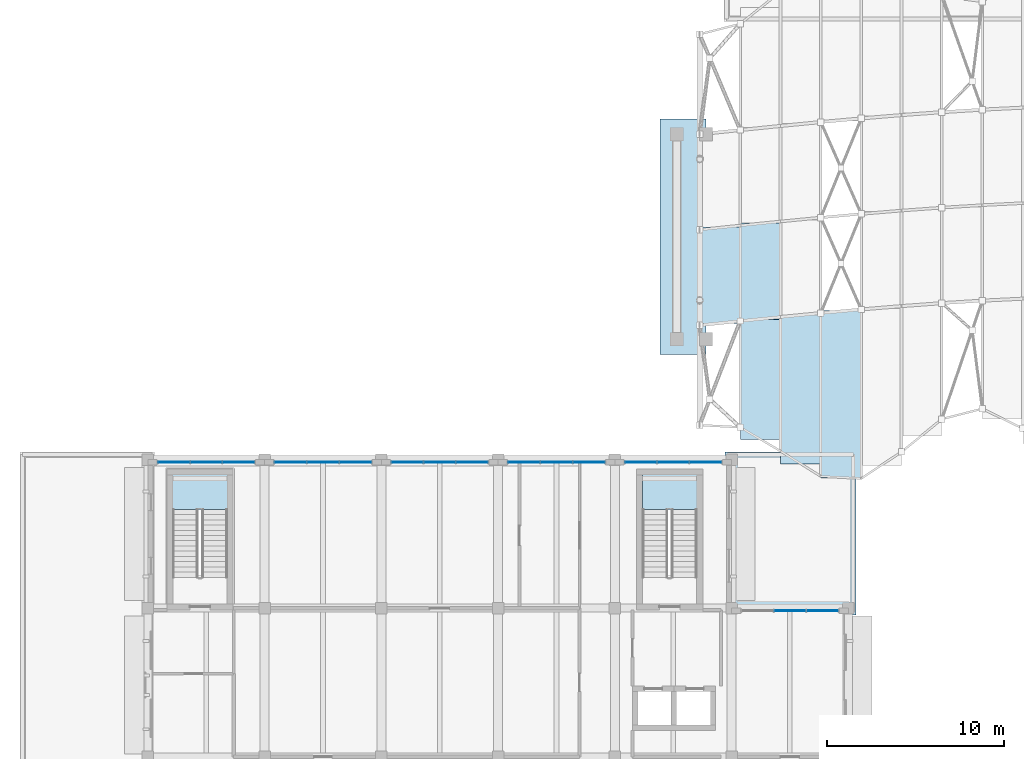
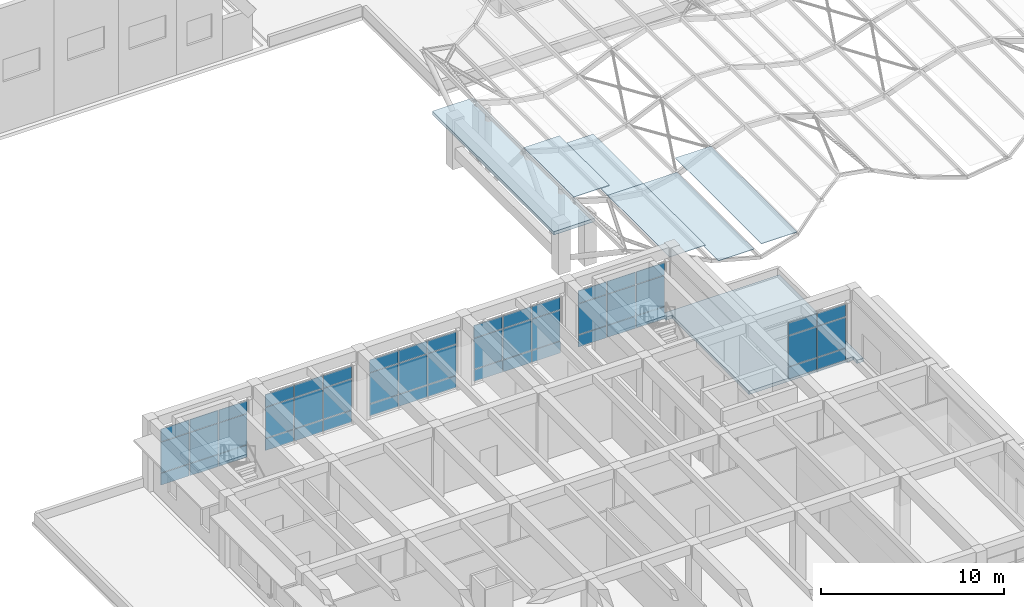
# One storey, part 34 of 79: 56 plates, 4 slabs, 8 elements without a shape of their own.
"""IFC4 building model written with IfcOpenShell, lengths in metres."""

from ifc_helpers import new_model, si_unit, direction, frame, origin, origin_2d, place, context, subcontext, project, spatial, polyline, rectangle, outline, extrude, material, layer, layer_set, type_object, element, aggregate, save


model = new_model("IFC4")

# Units and contexts
model_context = context("Model", 3, precision=1e-05, world=origin(), true_north=direction((0.0, 1.0)))
body_context = subcontext(model_context, "Body", "Model", "MODEL_VIEW")
ifc_project = project(units=[si_unit("LENGTHUNIT", "METRE"), si_unit("AREAUNIT", "SQUARE_METRE"), si_unit("VOLUMEUNIT", "CUBIC_METRE"), si_unit("PLANEANGLEUNIT", "RADIAN"), si_unit("MASSUNIT", "GRAM", prefix="KILO")], contexts=[model_context])

# Site, building, storey
site_placement = place(None, origin())
site = spatial("IfcSite", under=ifc_project, at=site_placement, CompositionType="ELEMENT")
building_placement = place(site_placement, origin())
building = spatial("IfcBuilding", under=site, at=building_placement, Name="Kolvaren Faculty of Natural Sciences", CompositionType="ELEMENT")
storey_placement = place(building_placement, frame((0.0, 0.0, 10.199951171875)))
storey = spatial("IfcBuildingStorey", under=building, at=storey_placement, Name="L02", CompositionType="ELEMENT", Elevation=10.199951171875)

# Plates
ifc_material_1 = material(Name="Double low-E solar control laminated skylight glass", Category="glass")
ifc_layer_1 = layer(ifc_material_1, 0.031982421875)
ifc_layer_set_1 = layer_set([ifc_layer_1], Name="Double low-E solar control laminated skylight glass")
plate_type_1 = type_object("IfcPlateType", Name="CanopyTranslucentSkylight_32", PredefinedType="USERDEFINED", material=ifc_layer_set_1)
plate_1_placement = place(storey_placement, frame((39.140869140625, 52.617431640625, 3.849609375), z_axis=(0.0, 0.0, 1.0), x_axis=(1.0, 0.0, 0.0)))
element("IfcPlate", 1, at=plate_1_placement, inside=storey, type_object=plate_type_1, Name="Covered street canopy translucent skylight panel 1.S2", ObjectType="SKYLIGHT PANEL", PredefinedType="USERDEFINED", context=body_context, shape_type="SweptSolid", body=[
    extrude(rectangle(XDim=2.251708984375, YDim=5.4599609375, at=origin_2d()), origin(), (0.0, 0.0, 1.0), 0.031982421875),
])
plate_2_placement = place(storey_placement, frame((41.422607421875, 46.754638671875, 3.0224609375), z_axis=(0.0, 0.0, 1.0), x_axis=(1.0, 0.0, 0.0)))
element("IfcPlate", 2, at=plate_2_placement, inside=storey, type_object=plate_type_1, Name="Covered street canopy translucent skylight panel 2.S1", ObjectType="SKYLIGHT PANEL", PredefinedType="USERDEFINED", context=body_context, shape_type="SweptSolid", body=[
    extrude(rectangle(XDim=2.251708984375, YDim=6.850341796875, at=origin_2d()), origin(), (0.0, 0.0, 1.0), 0.031982421875),
])
plate_3_placement = place(storey_placement, frame((41.422607421875, 52.849853515625, 3.0224609375), z_axis=(0.0, 0.0, 1.0), x_axis=(1.0, 0.0, 0.0)))
element("IfcPlate", 3, at=plate_3_placement, inside=storey, type_object=plate_type_1, Name="Covered street canopy translucent skylight panel 2.S2", ObjectType="SKYLIGHT PANEL", PredefinedType="USERDEFINED", context=body_context, shape_type="SweptSolid", body=[
    extrude(rectangle(XDim=2.251708984375, YDim=5.4599609375, at=origin_2d()), origin(), (0.0, 0.0, 1.0), 0.031982421875),
])
plate_4_placement = place(storey_placement, frame((43.70458984375, 46.173095703125, 2.80419921875), z_axis=(0.0, 0.0, 1.0), x_axis=(1.0, 0.0, 0.0)))
element("IfcPlate", 4, at=plate_4_placement, inside=storey, type_object=plate_type_1, Name="Covered street canopy translucent skylight panel 3.S1", ObjectType="SKYLIGHT PANEL", PredefinedType="USERDEFINED", context=body_context, shape_type="SweptSolid", body=[
    extrude(rectangle(XDim=2.251953125, YDim=8.46435546875, at=origin_2d()), origin(), (0.0, 0.0, 1.0), 0.031982421875),
])
plate_5_placement = place(storey_placement, frame((45.986328125, 45.892578125, 3.62255859375), z_axis=(0.0, 0.0, 1.0), x_axis=(1.0, 0.0, 0.0)))
element("IfcPlate", 5, at=plate_5_placement, inside=storey, type_object=plate_type_1, Name="Covered street canopy translucent skylight panel 4.S1", ObjectType="SKYLIGHT PANEL", PredefinedType="USERDEFINED", context=body_context, shape_type="SweptSolid", body=[
    extrude(rectangle(XDim=2.251708984375, YDim=9.4521484375, at=origin_2d()), origin(), (0.0, 0.0, 1.0), 0.031982421875),
])

# Slab
ifc_material_2 = material(Name="Precast concrete C35/45", Category="concrete")
ifc_layer_2 = layer(ifc_material_2, 0.139892578125)
ifc_layer_set_2 = layer_set([ifc_layer_2], Name="Precast concrete C35/45")
slab_type_1 = type_object("IfcSlabType", Name="ChhajjaSlopedEaveSlab_140", PredefinedType="ROOF", material=ifc_layer_set_2)
slab_1_placement = place(storey_placement, frame((0.0, 0.0, 3.179931640625)))
element("IfcSlab", 6, at=slab_1_placement, inside=storey, type_object=slab_type_1, Name="West Covered-Street Monumental Gateway Pishtaq projecting Mughal chhajja cornice slab", PredefinedType="ROOF", context=body_context, shape_type="SweptSolid", body=[
    extrude(outline(polyline([(35.75, 48.14990234375), (38.35009765625, 48.14990234375), (38.35009765625, 61.449951171875), (35.75, 61.449951171875), (35.75, 48.14990234375)])), origin(), (0.0, 0.0, 1.0), 0.22021484375),
])

# Curtain wall, plates
ifc_material_3 = material(Name="Thermally broken anodised aluminium framing", Category="aluminium")
ifc_layer_3 = layer(ifc_material_3, 0.179931640625)
ifc_layer_set_3 = layer_set([ifc_layer_3], Name="Thermally broken anodised aluminium framing")
curtain_wall_type = type_object("IfcCurtainWallType", Name="CommonsCurtainWall_CW02", PredefinedType="NOTDEFINED", material=ifc_layer_set_3)
curtain_wall_1_placement = place(storey_placement, origin())
curtain_wall_1 = element("IfcCurtainWall", 7, at=curtain_wall_1_placement, inside=storey, type_object=curtain_wall_type, Name="L02 unitised curtain wall CW-02 (CW-L02-071)", PredefinedType="NOTDEFINED")
ifc_material_4 = material(Name="Double low-E solar control insulated glazing", Category="glass")
ifc_layer_4 = layer(ifc_material_4, 0.035888671875)
ifc_layer_set_4 = layer_set([ifc_layer_4], Name="Double low-E solar control insulated glazing")
plate_type_2 = type_object("IfcPlateType", Name="EnvelopePlate_CWPGL1", PredefinedType="CURTAIN_PANEL", material=ifc_layer_set_4)
plate_6_placement = place(storey_placement, frame((8.2666015625, 42.050048828125, 0.920166015625), z_axis=(0.0, 0.0, 1.0), x_axis=(1.0, 0.0, 0.0)))
plate_6 = element("IfcPlate", 8, at=plate_6_placement, type_object=plate_type_2, Name="CW-L02-071 panel 1 V1", PredefinedType="CURTAIN_PANEL", context=body_context, shape_type="SweptSolid", body=[
    extrude(rectangle(XDim=1.783203125, YDim=0.035888671875, at=origin_2d()), origin(), (0.0, 0.0, 1.0), 2.044921875),
])
plate_7_placement = place(storey_placement, frame((10.10009765625, 42.050048828125, 0.920166015625), z_axis=(0.0, 0.0, 1.0), x_axis=(1.0, 0.0, 0.0)))
plate_7 = element("IfcPlate", 9, at=plate_7_placement, type_object=plate_type_2, Name="CW-L02-071 panel 2 V1", PredefinedType="CURTAIN_PANEL", context=body_context, shape_type="SweptSolid", body=[
    extrude(rectangle(XDim=1.783203125, YDim=0.035888671875, at=origin_2d()), origin(), (0.0, 0.0, 1.0), 2.044921875),
])
plate_8_placement = place(storey_placement, frame((11.933349609375, 42.050048828125, 0.920166015625), z_axis=(0.0, 0.0, 1.0), x_axis=(1.0, 0.0, 0.0)))
plate_8 = element("IfcPlate", 10, at=plate_8_placement, type_object=plate_type_2, Name="CW-L02-071 panel 3 V1", PredefinedType="CURTAIN_PANEL", context=body_context, shape_type="SweptSolid", body=[
    extrude(rectangle(XDim=1.783203125, YDim=0.035888671875, at=origin_2d()), origin(), (0.0, 0.0, 1.0), 2.044921875),
])

curtain_wall_2_placement = place(storey_placement, origin())
curtain_wall_2 = element("IfcCurtainWall", 11, at=curtain_wall_2_placement, inside=storey, type_object=curtain_wall_type, Name="L02 unitised curtain wall CW-02 (CW-L02-072)", PredefinedType="NOTDEFINED")
plate_9_placement = place(storey_placement, frame((14.86669921875, 42.050048828125, 0.920166015625), z_axis=(0.0, 0.0, 1.0), x_axis=(1.0, 0.0, 0.0)))
plate_9 = element("IfcPlate", 12, at=plate_9_placement, type_object=plate_type_2, Name="CW-L02-072 panel 1 V1", PredefinedType="CURTAIN_PANEL", context=body_context, shape_type="SweptSolid", body=[
    extrude(rectangle(XDim=1.783203125, YDim=0.035888671875, at=origin_2d()), origin(), (0.0, 0.0, 1.0), 2.044921875),
])
plate_10_placement = place(storey_placement, frame((16.699951171875, 42.050048828125, 0.920166015625), z_axis=(0.0, 0.0, 1.0), x_axis=(1.0, 0.0, 0.0)))
plate_10 = element("IfcPlate", 13, at=plate_10_placement, type_object=plate_type_2, Name="CW-L02-072 panel 2 V1", PredefinedType="CURTAIN_PANEL", context=body_context, shape_type="SweptSolid", body=[
    extrude(rectangle(XDim=1.783203125, YDim=0.035888671875, at=origin_2d()), origin(), (0.0, 0.0, 1.0), 2.044921875),
])
plate_11_placement = place(storey_placement, frame((18.533203125, 42.050048828125, 0.920166015625), z_axis=(0.0, 0.0, 1.0), x_axis=(1.0, 0.0, 0.0)))
plate_11 = element("IfcPlate", 14, at=plate_11_placement, type_object=plate_type_2, Name="CW-L02-072 panel 3 V1", PredefinedType="CURTAIN_PANEL", context=body_context, shape_type="SweptSolid", body=[
    extrude(rectangle(XDim=1.783203125, YDim=0.035888671875, at=origin_2d()), origin(), (0.0, 0.0, 1.0), 2.044921875),
])

curtain_wall_3_placement = place(storey_placement, origin())
curtain_wall_3 = element("IfcCurtainWall", 15, at=curtain_wall_3_placement, inside=storey, type_object=curtain_wall_type, Name="L02 unitised curtain wall CW-02 (CW-L02-073)", PredefinedType="NOTDEFINED")
plate_12_placement = place(storey_placement, frame((21.466796875, 42.050048828125, 0.920166015625), z_axis=(0.0, 0.0, 1.0), x_axis=(1.0, 0.0, 0.0)))
plate_12 = element("IfcPlate", 16, at=plate_12_placement, type_object=plate_type_2, Name="CW-L02-073 panel 1 V1", PredefinedType="CURTAIN_PANEL", context=body_context, shape_type="SweptSolid", body=[
    extrude(rectangle(XDim=1.783203125, YDim=0.035888671875, at=origin_2d()), origin(), (0.0, 0.0, 1.0), 2.044921875),
])
plate_13_placement = place(storey_placement, frame((23.300048828125, 42.050048828125, 0.920166015625), z_axis=(0.0, 0.0, 1.0), x_axis=(1.0, 0.0, 0.0)))
plate_13 = element("IfcPlate", 17, at=plate_13_placement, type_object=plate_type_2, Name="CW-L02-073 panel 2 V1", PredefinedType="CURTAIN_PANEL", context=body_context, shape_type="SweptSolid", body=[
    extrude(rectangle(XDim=1.783203125, YDim=0.035888671875, at=origin_2d()), origin(), (0.0, 0.0, 1.0), 2.044921875),
])
plate_14_placement = place(storey_placement, frame((25.13330078125, 42.050048828125, 0.920166015625), z_axis=(0.0, 0.0, 1.0), x_axis=(1.0, 0.0, 0.0)))
plate_14 = element("IfcPlate", 18, at=plate_14_placement, type_object=plate_type_2, Name="CW-L02-073 panel 3 V1", PredefinedType="CURTAIN_PANEL", context=body_context, shape_type="SweptSolid", body=[
    extrude(rectangle(XDim=1.783203125, YDim=0.035888671875, at=origin_2d()), origin(), (0.0, 0.0, 1.0), 2.044921875),
])

curtain_wall_4_placement = place(storey_placement, origin())
curtain_wall_4 = element("IfcCurtainWall", 19, at=curtain_wall_4_placement, inside=storey, type_object=curtain_wall_type, Name="L02 unitised curtain wall CW-02 (CW-L02-074)", PredefinedType="NOTDEFINED")
plate_15_placement = place(storey_placement, frame((28.066650390625, 42.050048828125, 0.920166015625), z_axis=(0.0, 0.0, 1.0), x_axis=(1.0, 0.0, 0.0)))
plate_15 = element("IfcPlate", 20, at=plate_15_placement, type_object=plate_type_2, Name="CW-L02-074 panel 1 V1", PredefinedType="CURTAIN_PANEL", context=body_context, shape_type="SweptSolid", body=[
    extrude(rectangle(XDim=1.783203125, YDim=0.035888671875, at=origin_2d()), origin(), (0.0, 0.0, 1.0), 2.044921875),
])
plate_16_placement = place(storey_placement, frame((29.89990234375, 42.050048828125, 0.920166015625), z_axis=(0.0, 0.0, 1.0), x_axis=(1.0, 0.0, 0.0)))
plate_16 = element("IfcPlate", 21, at=plate_16_placement, type_object=plate_type_2, Name="CW-L02-074 panel 2 V1", PredefinedType="CURTAIN_PANEL", context=body_context, shape_type="SweptSolid", body=[
    extrude(rectangle(XDim=1.783203125, YDim=0.035888671875, at=origin_2d()), origin(), (0.0, 0.0, 1.0), 2.044921875),
])
plate_17_placement = place(storey_placement, frame((31.7333984375, 42.050048828125, 0.920166015625), z_axis=(0.0, 0.0, 1.0), x_axis=(1.0, 0.0, 0.0)))
plate_17 = element("IfcPlate", 22, at=plate_17_placement, type_object=plate_type_2, Name="CW-L02-074 panel 3 V1", PredefinedType="CURTAIN_PANEL", context=body_context, shape_type="SweptSolid", body=[
    extrude(rectangle(XDim=1.783203125, YDim=0.035888671875, at=origin_2d()), origin(), (0.0, 0.0, 1.0), 2.044921875),
])

curtain_wall_5_placement = place(storey_placement, origin())
curtain_wall_5 = element("IfcCurtainWall", 23, at=curtain_wall_5_placement, inside=storey, type_object=curtain_wall_type, Name="L02 unitised curtain wall CW-02 (CW-L02-075)", PredefinedType="NOTDEFINED")
plate_18_placement = place(storey_placement, frame((34.666748046875, 42.050048828125, 0.920166015625), z_axis=(0.0, 0.0, 1.0), x_axis=(1.0, 0.0, 0.0)))
plate_18 = element("IfcPlate", 24, at=plate_18_placement, type_object=plate_type_2, Name="CW-L02-075 panel 1 V1", PredefinedType="CURTAIN_PANEL", context=body_context, shape_type="SweptSolid", body=[
    extrude(rectangle(XDim=1.783203125, YDim=0.035888671875, at=origin_2d()), origin(), (0.0, 0.0, 1.0), 2.044921875),
])
plate_19_placement = place(storey_placement, frame((36.5, 42.050048828125, 0.920166015625), z_axis=(0.0, 0.0, 1.0), x_axis=(1.0, 0.0, 0.0)))
plate_19 = element("IfcPlate", 25, at=plate_19_placement, type_object=plate_type_2, Name="CW-L02-075 panel 2 V1", PredefinedType="CURTAIN_PANEL", context=body_context, shape_type="SweptSolid", body=[
    extrude(rectangle(XDim=1.783203125, YDim=0.035888671875, at=origin_2d()), origin(), (0.0, 0.0, 1.0), 2.044921875),
])
plate_20_placement = place(storey_placement, frame((38.333251953125, 42.050048828125, 0.920166015625), z_axis=(0.0, 0.0, 1.0), x_axis=(1.0, 0.0, 0.0)))
plate_20 = element("IfcPlate", 26, at=plate_20_placement, type_object=plate_type_2, Name="CW-L02-075 panel 3 V1", PredefinedType="CURTAIN_PANEL", context=body_context, shape_type="SweptSolid", body=[
    extrude(rectangle(XDim=1.783203125, YDim=0.035888671875, at=origin_2d()), origin(), (0.0, 0.0, 1.0), 2.044921875),
])

curtain_wall_6_placement = place(storey_placement, origin())
curtain_wall_6 = element("IfcCurtainWall", 27, at=curtain_wall_6_placement, inside=storey, type_object=curtain_wall_type, Name="L02 unitised curtain wall CW-02 (CW-L02-076)", PredefinedType="NOTDEFINED")
plate_21_placement = place(storey_placement, frame((43.10009765625, 33.64990234375, 0.920166015625), z_axis=(0.0, 0.0, 1.0), x_axis=(1.0, 0.0, 0.0)))
plate_21 = element("IfcPlate", 28, at=plate_21_placement, type_object=plate_type_2, Name="CW-L02-076 panel 2 V1", PredefinedType="CURTAIN_PANEL", context=body_context, shape_type="SweptSolid", body=[
    extrude(rectangle(XDim=1.783203125, YDim=0.035888671875, at=origin_2d()), origin(), (0.0, 0.0, 1.0), 2.044921875),
])
plate_22_placement = place(storey_placement, frame((44.933349609375, 33.64990234375, 0.920166015625), z_axis=(0.0, 0.0, 1.0), x_axis=(1.0, 0.0, 0.0)))
plate_22 = element("IfcPlate", 29, at=plate_22_placement, type_object=plate_type_2, Name="CW-L02-076 panel 3 V1", PredefinedType="CURTAIN_PANEL", context=body_context, shape_type="SweptSolid", body=[
    extrude(rectangle(XDim=1.783203125, YDim=0.035888671875, at=origin_2d()), origin(), (0.0, 0.0, 1.0), 2.044921875),
])

# Plate
ifc_layer_5 = layer(ifc_material_4, 0.035888671875)
ifc_layer_set_5 = layer_set([ifc_layer_5], Name="Double low-E solar control insulated glazing")
plate_type_3 = type_object("IfcPlateType", Name="EnvelopePlate_CWPGL2", PredefinedType="CURTAIN_PANEL", material=ifc_layer_set_5)
plate_23_placement = place(storey_placement, frame((8.2666015625, 42.050048828125, 3.005126953125), z_axis=(0.0, 0.0, 1.0), x_axis=(1.0, 0.0, 0.0)))
plate_23 = element("IfcPlate", 30, at=plate_23_placement, type_object=plate_type_3, Name="CW-L02-071 panel 1 V2", PredefinedType="CURTAIN_PANEL", context=body_context, shape_type="SweptSolid", body=[
    extrude(rectangle(XDim=1.783203125, YDim=0.035888671875, at=origin_2d()), origin(), (0.0, 0.0, 1.0), 0.830078125),
])

plate_24_placement = place(storey_placement, frame((10.10009765625, 42.050048828125, 3.005126953125), z_axis=(0.0, 0.0, 1.0), x_axis=(1.0, 0.0, 0.0)))
plate_24 = element("IfcPlate", 31, at=plate_24_placement, type_object=plate_type_3, Name="CW-L02-071 panel 2 V2", PredefinedType="CURTAIN_PANEL", context=body_context, shape_type="SweptSolid", body=[
    extrude(rectangle(XDim=1.783203125, YDim=0.035888671875, at=origin_2d()), origin(), (0.0, 0.0, 1.0), 0.830078125),
])

plate_25_placement = place(storey_placement, frame((11.933349609375, 42.050048828125, 3.005126953125), z_axis=(0.0, 0.0, 1.0), x_axis=(1.0, 0.0, 0.0)))
plate_25 = element("IfcPlate", 32, at=plate_25_placement, type_object=plate_type_3, Name="CW-L02-071 panel 3 V2", PredefinedType="CURTAIN_PANEL", context=body_context, shape_type="SweptSolid", body=[
    extrude(rectangle(XDim=1.783203125, YDim=0.035888671875, at=origin_2d()), origin(), (0.0, 0.0, 1.0), 0.830078125),
])

plate_26_placement = place(storey_placement, frame((14.86669921875, 42.050048828125, 3.005126953125), z_axis=(0.0, 0.0, 1.0), x_axis=(1.0, 0.0, 0.0)))
plate_26 = element("IfcPlate", 33, at=plate_26_placement, type_object=plate_type_3, Name="CW-L02-072 panel 1 V2", PredefinedType="CURTAIN_PANEL", context=body_context, shape_type="SweptSolid", body=[
    extrude(rectangle(XDim=1.783203125, YDim=0.035888671875, at=origin_2d()), origin(), (0.0, 0.0, 1.0), 0.830078125),
])

plate_27_placement = place(storey_placement, frame((16.699951171875, 42.050048828125, 3.005126953125), z_axis=(0.0, 0.0, 1.0), x_axis=(1.0, 0.0, 0.0)))
plate_27 = element("IfcPlate", 34, at=plate_27_placement, type_object=plate_type_3, Name="CW-L02-072 panel 2 V2", PredefinedType="CURTAIN_PANEL", context=body_context, shape_type="SweptSolid", body=[
    extrude(rectangle(XDim=1.783203125, YDim=0.035888671875, at=origin_2d()), origin(), (0.0, 0.0, 1.0), 0.830078125),
])

plate_28_placement = place(storey_placement, frame((18.533203125, 42.050048828125, 3.005126953125), z_axis=(0.0, 0.0, 1.0), x_axis=(1.0, 0.0, 0.0)))
plate_28 = element("IfcPlate", 35, at=plate_28_placement, type_object=plate_type_3, Name="CW-L02-072 panel 3 V2", PredefinedType="CURTAIN_PANEL", context=body_context, shape_type="SweptSolid", body=[
    extrude(rectangle(XDim=1.783203125, YDim=0.035888671875, at=origin_2d()), origin(), (0.0, 0.0, 1.0), 0.830078125),
])

plate_29_placement = place(storey_placement, frame((21.466796875, 42.050048828125, 3.005126953125), z_axis=(0.0, 0.0, 1.0), x_axis=(1.0, 0.0, 0.0)))
plate_29 = element("IfcPlate", 36, at=plate_29_placement, type_object=plate_type_3, Name="CW-L02-073 panel 1 V2", PredefinedType="CURTAIN_PANEL", context=body_context, shape_type="SweptSolid", body=[
    extrude(rectangle(XDim=1.783203125, YDim=0.035888671875, at=origin_2d()), origin(), (0.0, 0.0, 1.0), 0.830078125),
])

plate_30_placement = place(storey_placement, frame((23.300048828125, 42.050048828125, 3.005126953125), z_axis=(0.0, 0.0, 1.0), x_axis=(1.0, 0.0, 0.0)))
plate_30 = element("IfcPlate", 37, at=plate_30_placement, type_object=plate_type_3, Name="CW-L02-073 panel 2 V2", PredefinedType="CURTAIN_PANEL", context=body_context, shape_type="SweptSolid", body=[
    extrude(rectangle(XDim=1.783203125, YDim=0.035888671875, at=origin_2d()), origin(), (0.0, 0.0, 1.0), 0.830078125),
])

plate_31_placement = place(storey_placement, frame((25.13330078125, 42.050048828125, 3.005126953125), z_axis=(0.0, 0.0, 1.0), x_axis=(1.0, 0.0, 0.0)))
plate_31 = element("IfcPlate", 38, at=plate_31_placement, type_object=plate_type_3, Name="CW-L02-073 panel 3 V2", PredefinedType="CURTAIN_PANEL", context=body_context, shape_type="SweptSolid", body=[
    extrude(rectangle(XDim=1.783203125, YDim=0.035888671875, at=origin_2d()), origin(), (0.0, 0.0, 1.0), 0.830078125),
])

plate_32_placement = place(storey_placement, frame((28.066650390625, 42.050048828125, 3.005126953125), z_axis=(0.0, 0.0, 1.0), x_axis=(1.0, 0.0, 0.0)))
plate_32 = element("IfcPlate", 39, at=plate_32_placement, type_object=plate_type_3, Name="CW-L02-074 panel 1 V2", PredefinedType="CURTAIN_PANEL", context=body_context, shape_type="SweptSolid", body=[
    extrude(rectangle(XDim=1.783203125, YDim=0.035888671875, at=origin_2d()), origin(), (0.0, 0.0, 1.0), 0.830078125),
])

plate_33_placement = place(storey_placement, frame((29.89990234375, 42.050048828125, 3.005126953125), z_axis=(0.0, 0.0, 1.0), x_axis=(1.0, 0.0, 0.0)))
plate_33 = element("IfcPlate", 40, at=plate_33_placement, type_object=plate_type_3, Name="CW-L02-074 panel 2 V2", PredefinedType="CURTAIN_PANEL", context=body_context, shape_type="SweptSolid", body=[
    extrude(rectangle(XDim=1.783203125, YDim=0.035888671875, at=origin_2d()), origin(), (0.0, 0.0, 1.0), 0.830078125),
])

plate_34_placement = place(storey_placement, frame((31.7333984375, 42.050048828125, 3.005126953125), z_axis=(0.0, 0.0, 1.0), x_axis=(1.0, 0.0, 0.0)))
plate_34 = element("IfcPlate", 41, at=plate_34_placement, type_object=plate_type_3, Name="CW-L02-074 panel 3 V2", PredefinedType="CURTAIN_PANEL", context=body_context, shape_type="SweptSolid", body=[
    extrude(rectangle(XDim=1.783203125, YDim=0.035888671875, at=origin_2d()), origin(), (0.0, 0.0, 1.0), 0.830078125),
])

plate_35_placement = place(storey_placement, frame((34.666748046875, 42.050048828125, 3.005126953125), z_axis=(0.0, 0.0, 1.0), x_axis=(1.0, 0.0, 0.0)))
plate_35 = element("IfcPlate", 42, at=plate_35_placement, type_object=plate_type_3, Name="CW-L02-075 panel 1 V2", PredefinedType="CURTAIN_PANEL", context=body_context, shape_type="SweptSolid", body=[
    extrude(rectangle(XDim=1.783203125, YDim=0.035888671875, at=origin_2d()), origin(), (0.0, 0.0, 1.0), 0.830078125),
])

plate_36_placement = place(storey_placement, frame((36.5, 42.050048828125, 3.005126953125), z_axis=(0.0, 0.0, 1.0), x_axis=(1.0, 0.0, 0.0)))
plate_36 = element("IfcPlate", 43, at=plate_36_placement, type_object=plate_type_3, Name="CW-L02-075 panel 2 V2", PredefinedType="CURTAIN_PANEL", context=body_context, shape_type="SweptSolid", body=[
    extrude(rectangle(XDim=1.783203125, YDim=0.035888671875, at=origin_2d()), origin(), (0.0, 0.0, 1.0), 0.830078125),
])

plate_37_placement = place(storey_placement, frame((38.333251953125, 42.050048828125, 3.005126953125), z_axis=(0.0, 0.0, 1.0), x_axis=(1.0, 0.0, 0.0)))
plate_37 = element("IfcPlate", 44, at=plate_37_placement, type_object=plate_type_3, Name="CW-L02-075 panel 3 V2", PredefinedType="CURTAIN_PANEL", context=body_context, shape_type="SweptSolid", body=[
    extrude(rectangle(XDim=1.783203125, YDim=0.035888671875, at=origin_2d()), origin(), (0.0, 0.0, 1.0), 0.830078125),
])

plate_38_placement = place(storey_placement, frame((43.10009765625, 33.64990234375, 3.005126953125), z_axis=(0.0, 0.0, 1.0), x_axis=(1.0, 0.0, 0.0)))
plate_38 = element("IfcPlate", 45, at=plate_38_placement, type_object=plate_type_3, Name="CW-L02-076 panel 2 V2", PredefinedType="CURTAIN_PANEL", context=body_context, shape_type="SweptSolid", body=[
    extrude(rectangle(XDim=1.783203125, YDim=0.035888671875, at=origin_2d()), origin(), (0.0, 0.0, 1.0), 0.830078125),
])

plate_39_placement = place(storey_placement, frame((44.933349609375, 33.64990234375, 3.005126953125), z_axis=(0.0, 0.0, 1.0), x_axis=(1.0, 0.0, 0.0)))
plate_39 = element("IfcPlate", 46, at=plate_39_placement, type_object=plate_type_3, Name="CW-L02-076 panel 3 V2", PredefinedType="CURTAIN_PANEL", context=body_context, shape_type="SweptSolid", body=[
    extrude(rectangle(XDim=1.783203125, YDim=0.035888671875, at=origin_2d()), origin(), (0.0, 0.0, 1.0), 0.830078125),
])

ifc_material_5 = material(Name="Insulated anodised aluminium spandrel panel", Category="aluminium")
ifc_layer_6 = layer(ifc_material_5, 0.050048828125)
ifc_layer_set_6 = layer_set([ifc_layer_6], Name="Insulated anodised aluminium spandrel panel")
plate_type_4 = type_object("IfcPlateType", Name="EnvelopePlate_CWPSP1", PredefinedType="SHEET", material=ifc_layer_set_6)
plate_40_placement = place(storey_placement, frame((8.2666015625, 42.050048828125, 0.10009765625), z_axis=(0.0, 0.0, 1.0), x_axis=(1.0, 0.0, 0.0)))
plate_40 = element("IfcPlate", 47, at=plate_40_placement, type_object=plate_type_4, Name="CW-L02-071 panel 1 SP", PredefinedType="SHEET", context=body_context, shape_type="SweptSolid", body=[
    extrude(rectangle(XDim=1.783203125, YDim=0.050048828125, at=origin_2d()), origin(), (0.0, 0.0, 1.0), 0.780029296875),
])

plate_41_placement = place(storey_placement, frame((10.10009765625, 42.050048828125, 0.10009765625), z_axis=(0.0, 0.0, 1.0), x_axis=(1.0, 0.0, 0.0)))
plate_41 = element("IfcPlate", 48, at=plate_41_placement, type_object=plate_type_4, Name="CW-L02-071 panel 2 SP", PredefinedType="SHEET", context=body_context, shape_type="SweptSolid", body=[
    extrude(rectangle(XDim=1.783203125, YDim=0.050048828125, at=origin_2d()), origin(), (0.0, 0.0, 1.0), 0.780029296875),
])

plate_42_placement = place(storey_placement, frame((11.933349609375, 42.050048828125, 0.10009765625), z_axis=(0.0, 0.0, 1.0), x_axis=(1.0, 0.0, 0.0)))
plate_42 = element("IfcPlate", 49, at=plate_42_placement, type_object=plate_type_4, Name="CW-L02-071 panel 3 SP", PredefinedType="SHEET", context=body_context, shape_type="SweptSolid", body=[
    extrude(rectangle(XDim=1.783203125, YDim=0.050048828125, at=origin_2d()), origin(), (0.0, 0.0, 1.0), 0.780029296875),
])

aggregate(curtain_wall_1, [plate_40, plate_6, plate_23, plate_41, plate_7, plate_24, plate_42, plate_8, plate_25])

plate_43_placement = place(storey_placement, frame((14.86669921875, 42.050048828125, 0.10009765625), z_axis=(0.0, 0.0, 1.0), x_axis=(1.0, 0.0, 0.0)))
plate_43 = element("IfcPlate", 50, at=plate_43_placement, type_object=plate_type_4, Name="CW-L02-072 panel 1 SP", PredefinedType="SHEET", context=body_context, shape_type="SweptSolid", body=[
    extrude(rectangle(XDim=1.783203125, YDim=0.050048828125, at=origin_2d()), origin(), (0.0, 0.0, 1.0), 0.780029296875),
])

plate_44_placement = place(storey_placement, frame((16.699951171875, 42.050048828125, 0.10009765625), z_axis=(0.0, 0.0, 1.0), x_axis=(1.0, 0.0, 0.0)))
plate_44 = element("IfcPlate", 51, at=plate_44_placement, type_object=plate_type_4, Name="CW-L02-072 panel 2 SP", PredefinedType="SHEET", context=body_context, shape_type="SweptSolid", body=[
    extrude(rectangle(XDim=1.783203125, YDim=0.050048828125, at=origin_2d()), origin(), (0.0, 0.0, 1.0), 0.780029296875),
])

plate_45_placement = place(storey_placement, frame((18.533203125, 42.050048828125, 0.10009765625), z_axis=(0.0, 0.0, 1.0), x_axis=(1.0, 0.0, 0.0)))
plate_45 = element("IfcPlate", 52, at=plate_45_placement, type_object=plate_type_4, Name="CW-L02-072 panel 3 SP", PredefinedType="SHEET", context=body_context, shape_type="SweptSolid", body=[
    extrude(rectangle(XDim=1.783203125, YDim=0.050048828125, at=origin_2d()), origin(), (0.0, 0.0, 1.0), 0.780029296875),
])

aggregate(curtain_wall_2, [plate_43, plate_9, plate_26, plate_44, plate_10, plate_27, plate_45, plate_11, plate_28])

plate_46_placement = place(storey_placement, frame((21.466796875, 42.050048828125, 0.10009765625), z_axis=(0.0, 0.0, 1.0), x_axis=(1.0, 0.0, 0.0)))
plate_46 = element("IfcPlate", 53, at=plate_46_placement, type_object=plate_type_4, Name="CW-L02-073 panel 1 SP", PredefinedType="SHEET", context=body_context, shape_type="SweptSolid", body=[
    extrude(rectangle(XDim=1.783203125, YDim=0.050048828125, at=origin_2d()), origin(), (0.0, 0.0, 1.0), 0.780029296875),
])

plate_47_placement = place(storey_placement, frame((23.300048828125, 42.050048828125, 0.10009765625), z_axis=(0.0, 0.0, 1.0), x_axis=(1.0, 0.0, 0.0)))
plate_47 = element("IfcPlate", 54, at=plate_47_placement, type_object=plate_type_4, Name="CW-L02-073 panel 2 SP", PredefinedType="SHEET", context=body_context, shape_type="SweptSolid", body=[
    extrude(rectangle(XDim=1.783203125, YDim=0.050048828125, at=origin_2d()), origin(), (0.0, 0.0, 1.0), 0.780029296875),
])

plate_48_placement = place(storey_placement, frame((25.13330078125, 42.050048828125, 0.10009765625), z_axis=(0.0, 0.0, 1.0), x_axis=(1.0, 0.0, 0.0)))
plate_48 = element("IfcPlate", 55, at=plate_48_placement, type_object=plate_type_4, Name="CW-L02-073 panel 3 SP", PredefinedType="SHEET", context=body_context, shape_type="SweptSolid", body=[
    extrude(rectangle(XDim=1.783203125, YDim=0.050048828125, at=origin_2d()), origin(), (0.0, 0.0, 1.0), 0.780029296875),
])

aggregate(curtain_wall_3, [plate_46, plate_12, plate_29, plate_47, plate_13, plate_30, plate_48, plate_14, plate_31])

plate_49_placement = place(storey_placement, frame((28.066650390625, 42.050048828125, 0.10009765625), z_axis=(0.0, 0.0, 1.0), x_axis=(1.0, 0.0, 0.0)))
plate_49 = element("IfcPlate", 56, at=plate_49_placement, type_object=plate_type_4, Name="CW-L02-074 panel 1 SP", PredefinedType="SHEET", context=body_context, shape_type="SweptSolid", body=[
    extrude(rectangle(XDim=1.783203125, YDim=0.050048828125, at=origin_2d()), origin(), (0.0, 0.0, 1.0), 0.780029296875),
])

plate_50_placement = place(storey_placement, frame((29.89990234375, 42.050048828125, 0.10009765625), z_axis=(0.0, 0.0, 1.0), x_axis=(1.0, 0.0, 0.0)))
plate_50 = element("IfcPlate", 57, at=plate_50_placement, type_object=plate_type_4, Name="CW-L02-074 panel 2 SP", PredefinedType="SHEET", context=body_context, shape_type="SweptSolid", body=[
    extrude(rectangle(XDim=1.783203125, YDim=0.050048828125, at=origin_2d()), origin(), (0.0, 0.0, 1.0), 0.780029296875),
])

plate_51_placement = place(storey_placement, frame((31.7333984375, 42.050048828125, 0.10009765625), z_axis=(0.0, 0.0, 1.0), x_axis=(1.0, 0.0, 0.0)))
plate_51 = element("IfcPlate", 58, at=plate_51_placement, type_object=plate_type_4, Name="CW-L02-074 panel 3 SP", PredefinedType="SHEET", context=body_context, shape_type="SweptSolid", body=[
    extrude(rectangle(XDim=1.783203125, YDim=0.050048828125, at=origin_2d()), origin(), (0.0, 0.0, 1.0), 0.780029296875),
])

aggregate(curtain_wall_4, [plate_49, plate_15, plate_32, plate_50, plate_16, plate_33, plate_51, plate_17, plate_34])

plate_52_placement = place(storey_placement, frame((34.666748046875, 42.050048828125, 0.10009765625), z_axis=(0.0, 0.0, 1.0), x_axis=(1.0, 0.0, 0.0)))
plate_52 = element("IfcPlate", 59, at=plate_52_placement, type_object=plate_type_4, Name="CW-L02-075 panel 1 SP", PredefinedType="SHEET", context=body_context, shape_type="SweptSolid", body=[
    extrude(rectangle(XDim=1.783203125, YDim=0.050048828125, at=origin_2d()), origin(), (0.0, 0.0, 1.0), 0.780029296875),
])

plate_53_placement = place(storey_placement, frame((36.5, 42.050048828125, 0.10009765625), z_axis=(0.0, 0.0, 1.0), x_axis=(1.0, 0.0, 0.0)))
plate_53 = element("IfcPlate", 60, at=plate_53_placement, type_object=plate_type_4, Name="CW-L02-075 panel 2 SP", PredefinedType="SHEET", context=body_context, shape_type="SweptSolid", body=[
    extrude(rectangle(XDim=1.783203125, YDim=0.050048828125, at=origin_2d()), origin(), (0.0, 0.0, 1.0), 0.780029296875),
])

plate_54_placement = place(storey_placement, frame((38.333251953125, 42.050048828125, 0.10009765625), z_axis=(0.0, 0.0, 1.0), x_axis=(1.0, 0.0, 0.0)))
plate_54 = element("IfcPlate", 61, at=plate_54_placement, type_object=plate_type_4, Name="CW-L02-075 panel 3 SP", PredefinedType="SHEET", context=body_context, shape_type="SweptSolid", body=[
    extrude(rectangle(XDim=1.783203125, YDim=0.050048828125, at=origin_2d()), origin(), (0.0, 0.0, 1.0), 0.780029296875),
])

aggregate(curtain_wall_5, [plate_52, plate_18, plate_35, plate_53, plate_19, plate_36, plate_54, plate_20, plate_37])

plate_55_placement = place(storey_placement, frame((43.10009765625, 33.64990234375, 0.10009765625), z_axis=(0.0, 0.0, 1.0), x_axis=(1.0, 0.0, 0.0)))
plate_55 = element("IfcPlate", 62, at=plate_55_placement, type_object=plate_type_4, Name="CW-L02-076 panel 2 SP", PredefinedType="SHEET", context=body_context, shape_type="SweptSolid", body=[
    extrude(rectangle(XDim=1.783203125, YDim=0.050048828125, at=origin_2d()), origin(), (0.0, 0.0, 1.0), 0.780029296875),
])

plate_56_placement = place(storey_placement, frame((44.933349609375, 33.64990234375, 0.10009765625), z_axis=(0.0, 0.0, 1.0), x_axis=(1.0, 0.0, 0.0)))
plate_56 = element("IfcPlate", 63, at=plate_56_placement, type_object=plate_type_4, Name="CW-L02-076 panel 3 SP", PredefinedType="SHEET", context=body_context, shape_type="SweptSolid", body=[
    extrude(rectangle(XDim=1.783203125, YDim=0.050048828125, at=origin_2d()), origin(), (0.0, 0.0, 1.0), 0.780029296875),
])

aggregate(curtain_wall_6, [plate_55, plate_21, plate_38, plate_56, plate_22, plate_39])

# Slab
ifc_material_6 = material(Name="Concrete C35/45", Category="concrete")
ifc_layer_7 = layer(ifc_material_6, 0.219970703125)
ifc_layer_set_7 = layer_set([ifc_layer_7], Name="Concrete C35/45")
slab_type_2 = type_object("IfcSlabType", Name="FlatWingRoofSlab_220", PredefinedType="ROOF", material=ifc_layer_set_7)
slab_2_placement = place(storey_placement, frame((0.0, 0.0, -0.219970703125)))
element("IfcSlab", 64, at=slab_2_placement, inside=storey, type_object=slab_type_2, Name="L02 flat reinforced concrete roof slab 3", PredefinedType="ROOF", context=body_context, shape_type="SweptSolid", body=[
    extrude(outline(polyline([(46.419921875, 33.419921875), (46.419921875, 33.800048828125), (46.419921875, 33.802001953125), (46.419677734375, 33.803955078125), (46.419189453125, 33.805908203125), (46.41845703125, 33.8076171875), (46.41748046875, 33.809326171875), (46.41650390625, 33.81103515625), (46.41552734375, 33.812744140625), (46.4140625, 33.814208984375), (46.41259765625, 33.8154296875), (46.4111328125, 33.816650390625), (46.409423828125, 33.817626953125), (46.40771484375, 33.818603515625), (46.40576171875, 33.819091796875), (46.40380859375, 33.819580078125), (46.402099609375, 33.81982421875), (46.39990234375, 33.820068359375), (39.820068359375, 33.820068359375), (39.820068359375, 42.199951171875), (39.81982421875, 42.201904296875), (39.819580078125, 42.203857421875), (39.819091796875, 42.205810546875), (39.818603515625, 42.207763671875), (39.817626953125, 42.20947265625), (39.816650390625, 42.211181640625), (39.8154296875, 42.212646484375), (39.814208984375, 42.214111328125), (39.812744140625, 42.215576171875), (39.81103515625, 42.216552734375), (39.809326171875, 42.217529296875), (39.8076171875, 42.218505859375), (39.805908203125, 42.218994140625), (39.803955078125, 42.219482421875), (39.802001953125, 42.219970703125), (39.800048828125, 42.219970703125), (39.419921875, 42.219970703125), (39.419921875, 42.6298828125), (46.830078125, 42.6298828125), (46.830078125, 33.419921875), (46.419921875, 33.419921875)])), origin(), (0.0, 0.0, 1.0), 0.219970703125),
])

# Stair, slab
stair_type = type_object("IfcStairType", Name="DoglegStair_H4800", PredefinedType="HALF_TURN_STAIR", material=ifc_material_6)
stair_1_placement = place(storey_placement, origin())
stair_1 = element("IfcStair", 65, at=stair_1_placement, inside=storey, type_object=stair_type, Name="L02 Protected exit stair ST-4", PredefinedType="HALF_TURN_STAIR")
ifc_layer_8 = layer(ifc_material_6, 0.199951171875)
ifc_layer_set_8 = layer_set([ifc_layer_8], Name="Concrete C35/45")
slab_type_3 = type_object("IfcSlabType", Name="StairLandingSlab_200", PredefinedType="LANDING", material=ifc_layer_set_8)
slab_3_placement = place(storey_placement, frame((0.0, 0.0, 2.199951171875)))
slab_3 = element("IfcSlab", 66, at=slab_3_placement, type_object=slab_type_3, Name="ST-4 landing 1", PredefinedType="LANDING", context=body_context, shape_type="SweptSolid", body=[
    extrude(outline(polyline([(37.85009765625, 39.385009765625), (37.85009765625, 41.35009765625), (34.75, 41.35009765625), (34.75, 39.385009765625), (37.85009765625, 39.385009765625)])), origin(), (0.0, 0.0, 1.0), 0.2001953125),
])
aggregate(stair_1, [slab_3])

stair_2_placement = place(storey_placement, origin())
stair_2 = element("IfcStair", 67, at=stair_2_placement, inside=storey, type_object=stair_type, Name="L02 Protected exit stair ST-8", PredefinedType="HALF_TURN_STAIR")
slab_4_placement = place(storey_placement, frame((0.0, 0.0, 2.199951171875)))
slab_4 = element("IfcSlab", 68, at=slab_4_placement, type_object=slab_type_3, Name="ST-8 landing 1", PredefinedType="LANDING", context=body_context, shape_type="SweptSolid", body=[
    extrude(outline(polyline([(11.300048828125, 39.385009765625), (11.300048828125, 41.35009765625), (8.199951171875, 41.35009765625), (8.199951171875, 39.385009765625), (11.300048828125, 39.385009765625)])), origin(), (0.0, 0.0, 1.0), 0.2001953125),
])
aggregate(stair_2, [slab_4])

save(model, "model.ifc")
